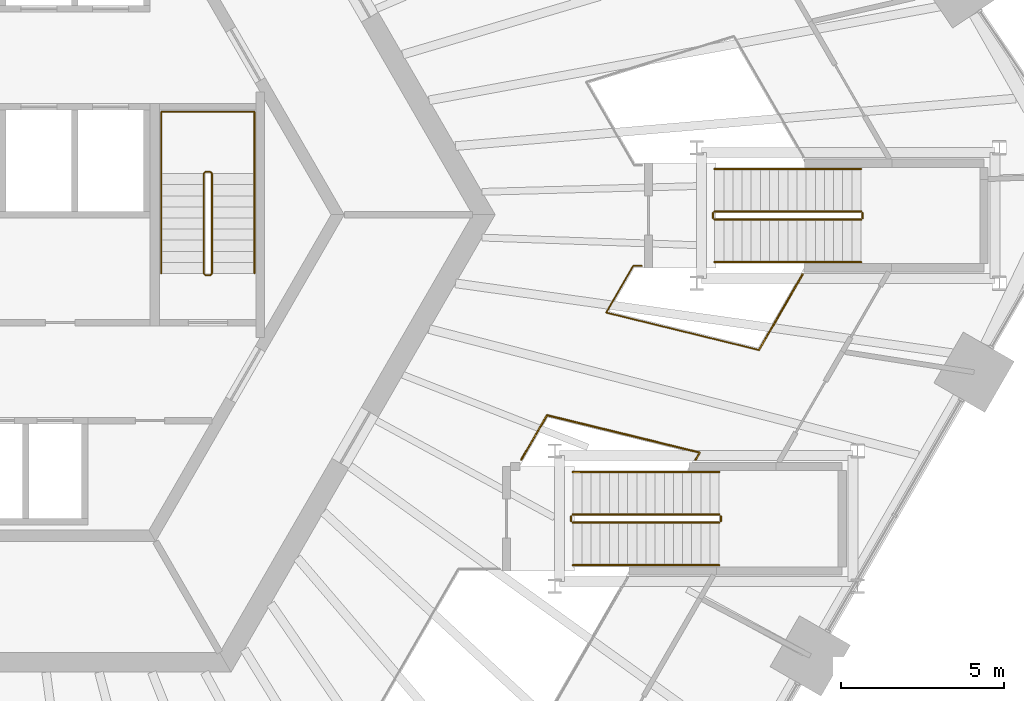
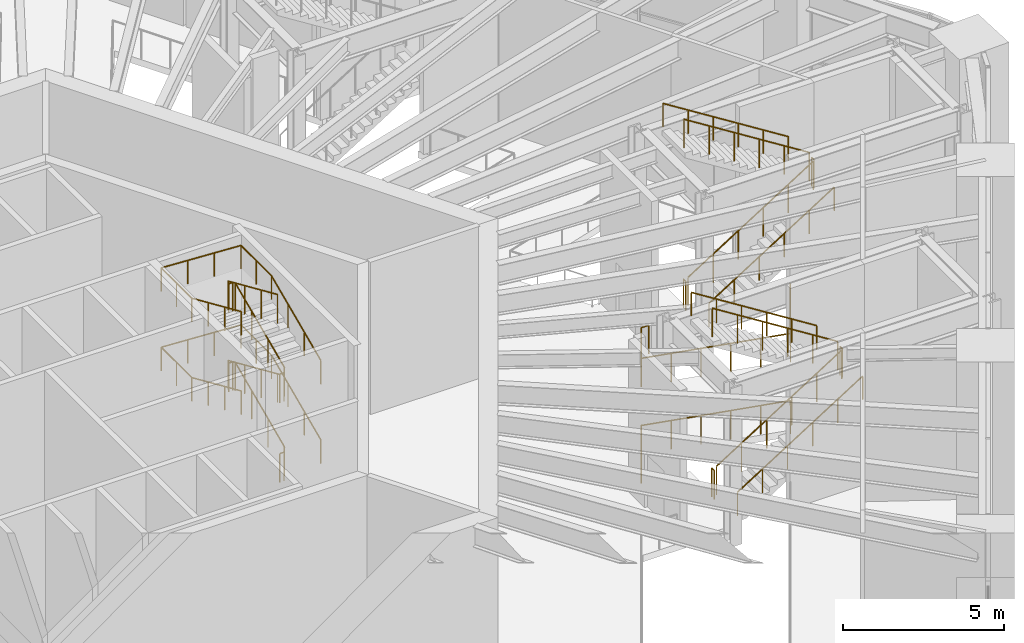
# One storey, part 29 of 32: 19 railings.
"""IFC4 building model written with IfcOpenShell, lengths in metres."""

from ifc_helpers import new_model, si_unit, direction, frame, origin, origin_2d, place, context, subcontext, project, spatial, circle, extrude, material, type_object, element, save


model = new_model("IFC4")

# Units and contexts
model_context = context("Model", 3, precision=1e-05, world=origin(), true_north=direction((0.0, 1.0)))
body_context = subcontext(model_context, "Body", "Model", "MODEL_VIEW")
ifc_project = project(units=[si_unit("LENGTHUNIT", "METRE"), si_unit("AREAUNIT", "SQUARE_METRE"), si_unit("VOLUMEUNIT", "CUBIC_METRE"), si_unit("PLANEANGLEUNIT", "RADIAN"), si_unit("MASSUNIT", "GRAM", prefix="KILO")], contexts=[model_context])

# Site, building, storey
site_placement = place(None, origin())
site = spatial("IfcSite", under=ifc_project, at=site_placement, CompositionType="ELEMENT")
building_placement = place(site_placement, origin())
building = spatial("IfcBuilding", under=site, at=building_placement, Name="Tarnside Tower", CompositionType="ELEMENT")
storey_placement = place(building_placement, frame((0.0, 0.0, 9.0)))
storey = spatial("IfcBuildingStorey", under=building, at=storey_placement, Name="L01", CompositionType="ELEMENT", Elevation=9.0)

# Railings
ifc_material_1 = material(Name="Safety glass", Category="glass")
railing_type_1 = type_object("IfcRailingType", Name="Guard 1100 glass", PredefinedType="GUARDRAIL", material=ifc_material_1)
railing_1_placement = place(storey_placement, frame((17.750732421875, -6.135009765625, 0.0)))
element("IfcRailing", 1, at=railing_1_placement, inside=storey, type_object=railing_type_1, Name="Guard 4", PredefinedType="GUARDRAIL", context=body_context, shape_type="SweptSolid", body=[
    extrude(circle(Radius=0.02392578125, at=origin_2d()), frame((0.0, 0.0, 1.076171875), z_axis=(0.971342027577, -0.237686064932, 0.0), x_axis=(0.237686064932, 0.971342027577, 0.0)), (0.0, 0.0, 1.0), 4.812255859375),
    extrude(circle(Radius=0.02392578125, at=origin_2d()), frame((4.67431640625, -1.143798828125, 1.076171875), z_axis=(-0.499943114462, -0.866058244174, 0.0), x_axis=(0.866058244174, -0.499943114462, 0.0)), (0.0, 0.0, 1.0), 0.25537109375),
    extrude(circle(Radius=0.02099609375, at=origin_2d()), origin(), (0.0, 0.0, 1.0), 1.052001953125),
    extrude(circle(Radius=0.02099609375, at=origin_2d()), frame((0.934814453125, -0.228759765625, 0.0)), (0.0, 0.0, 1.0), 1.052001953125),
    extrude(circle(Radius=0.02099609375, at=origin_2d()), frame((1.86962890625, -0.45751953125, 0.0)), (0.0, 0.0, 1.0), 1.052001953125),
    extrude(circle(Radius=0.02099609375, at=origin_2d()), frame((2.8046875, -0.686279296875, 0.0)), (0.0, 0.0, 1.0), 1.052001953125),
    extrude(circle(Radius=0.02099609375, at=origin_2d()), frame((3.739501953125, -0.9150390625, 0.0)), (0.0, 0.0, 1.0), 1.052001953125),
    extrude(circle(Radius=0.02099609375, at=origin_2d()), frame((4.67431640625, -1.143798828125, 0.0)), (0.0, 0.0, 1.0), 1.052001953125),
    extrude(circle(Radius=0.02099609375, at=origin_2d()), frame((4.546630859375, -1.364990234375, 0.0)), (0.0, 0.0, 1.0), 1.052001953125),
])
railing_2_placement = place(storey_placement, frame((16.962646484375, -7.5, 0.0)))
element("IfcRailing", 2, at=railing_2_placement, inside=storey, type_object=railing_type_1, Name="Guard 5", PredefinedType="GUARDRAIL", context=body_context, shape_type="SweptSolid", body=[
    extrude(circle(Radius=0.02392578125, at=origin_2d()), frame((0.0, 0.0, 1.076171875), z_axis=(0.500004024767, 0.866023080072, 0.0), x_axis=(-0.866023080072, 0.500004024767, 0.0)), (0.0, 0.0, 1.0), 1.576171875),
    extrude(circle(Radius=0.02099609375, at=origin_2d()), origin(), (0.0, 0.0, 1.0), 1.052001953125),
    extrude(circle(Radius=0.02099609375, at=origin_2d()), frame((0.39404296875, 0.6826171875, 0.0)), (0.0, 0.0, 1.0), 1.052001953125),
    extrude(circle(Radius=0.02099609375, at=origin_2d()), frame((0.7880859375, 1.364990234375, 0.0)), (0.0, 0.0, 1.0), 1.052001953125),
])
railing_3_placement = place(storey_placement, frame((24.237548828125, -4.1396484375, 0.0)))
element("IfcRailing", 3, at=railing_3_placement, inside=storey, type_object=railing_type_1, Name="Guard 6", PredefinedType="GUARDRAIL", context=body_context, shape_type="SweptSolid", body=[
    extrude(circle(Radius=0.02392578125, at=origin_2d()), frame((0.0, 0.0, 1.076171875), z_axis=(-0.971333180563, 0.23772221675, 0.0), x_axis=(-0.23772221675, -0.971333180563, 0.0)), (0.0, 0.0, 1.0), 4.8125),
    extrude(circle(Radius=0.02392578125, at=origin_2d()), frame((-4.674560546875, 1.14404296875, 1.076171875), z_axis=(0.500080620599, 0.865978852456, 0.0), x_axis=(-0.865978852456, 0.500080620599, 0.0)), (0.0, 0.0, 1.0), 1.652099609375),
    extrude(circle(Radius=0.02392578125, at=origin_2d()), frame((-3.848388671875, 2.57470703125, 1.076171875), z_axis=(1.0, 0.0, 0.0), x_axis=(0.0, 1.0, 0.0)), (0.0, 0.0, 1.0), 0.265869140625),
    extrude(circle(Radius=0.02099609375, at=origin_2d()), origin(), (0.0, 0.0, 1.0), 1.052001953125),
    extrude(circle(Radius=0.02099609375, at=origin_2d()), frame((-0.934814453125, 0.228759765625, 0.0)), (0.0, 0.0, 1.0), 1.052001953125),
    extrude(circle(Radius=0.02099609375, at=origin_2d()), frame((-1.869873046875, 0.45751953125, 0.0)), (0.0, 0.0, 1.0), 1.052001953125),
    extrude(circle(Radius=0.02099609375, at=origin_2d()), frame((-2.8046875, 0.6865234375, 0.0)), (0.0, 0.0, 1.0), 1.052001953125),
    extrude(circle(Radius=0.02099609375, at=origin_2d()), frame((-3.73974609375, 0.915283203125, 0.0)), (0.0, 0.0, 1.0), 1.052001953125),
    extrude(circle(Radius=0.02099609375, at=origin_2d()), frame((-4.674560546875, 1.14404296875, 0.0)), (0.0, 0.0, 1.0), 1.052001953125),
    extrude(circle(Radius=0.02099609375, at=origin_2d()), frame((-4.261474609375, 1.859375, 0.0)), (0.0, 0.0, 1.0), 1.052001953125),
    extrude(circle(Radius=0.02099609375, at=origin_2d()), frame((-3.848388671875, 2.57470703125, 0.0)), (0.0, 0.0, 1.0), 1.052001953125),
    extrude(circle(Radius=0.02099609375, at=origin_2d()), frame((-3.58251953125, 2.57470703125, 0.0)), (0.0, 0.0, 1.0), 1.052001953125),
])
railing_4_placement = place(storey_placement, frame((25.57373046875, -1.824951171875, 0.0)))
element("IfcRailing", 4, at=railing_4_placement, inside=storey, type_object=railing_type_1, Name="Guard 7", PredefinedType="GUARDRAIL", context=body_context, shape_type="SweptSolid", body=[
    extrude(circle(Radius=0.02392578125, at=origin_2d()), frame((0.0, 0.0, 1.076171875), z_axis=(-0.499941223862, -0.866059335544, 0.0), x_axis=(0.866059335544, -0.499941223862, 0.0)), (0.0, 0.0, 1.0), 2.672607421875),
    extrude(circle(Radius=0.02099609375, at=origin_2d()), origin(), (0.0, 0.0, 1.0), 1.052001953125),
    extrude(circle(Radius=0.02099609375, at=origin_2d()), frame((-0.4453125, -0.771484375, 0.0)), (0.0, 0.0, 1.0), 1.052001953125),
    extrude(circle(Radius=0.02099609375, at=origin_2d()), frame((-0.890869140625, -1.543212890625, 0.0)), (0.0, 0.0, 1.0), 1.052001953125),
    extrude(circle(Radius=0.02099609375, at=origin_2d()), frame((-1.336181640625, -2.314697265625, 0.0)), (0.0, 0.0, 1.0), 1.052001953125),
])
ifc_material_2 = material(Name="Stainless steel", Category="steel")
railing_type_2 = type_object("IfcRailingType", Name="Podium stair guard 1100", PredefinedType="GUARDRAIL", material=ifc_material_2)
railing_5_placement = place(storey_placement, frame((22.8798828125, -0.14990234375, 0.176513671875)))
element("IfcRailing", 5, at=railing_5_placement, inside=storey, type_object=railing_type_2, Name="L01 PS3 stair guard 1", PredefinedType="GUARDRAIL", context=body_context, shape_type="SweptSolid", body=[
    extrude(circle(Radius=0.02392578125, at=origin_2d()), frame((0.0, 0.0, 1.076171875), z_axis=(0.846011044237, 0.0, 0.533165371184), x_axis=(0.0, 1.0, 0.0)), (0.0, 0.0, 1.0), 5.295654296875),
    extrude(circle(Radius=0.02099609375, at=origin_2d()), origin(), (0.0, 0.0, 1.0), 1.052001953125),
    extrude(circle(Radius=0.02099609375, at=origin_2d()), frame((0.89599609375, 0.0, 0.564697265625)), (0.0, 0.0, 1.0), 1.052001953125),
    extrude(circle(Radius=0.02099609375, at=origin_2d()), frame((1.7919921875, 0.0, 1.12939453125)), (0.0, 0.0, 1.0), 1.052001953125),
    extrude(circle(Radius=0.02099609375, at=origin_2d()), frame((2.688232421875, 0.0, 1.694091796875)), (0.0, 0.0, 1.0), 1.052001953125),
    extrude(circle(Radius=0.02099609375, at=origin_2d()), frame((3.584228515625, 0.0, 2.2587890625)), (0.0, 0.0, 1.0), 1.052001953125),
    extrude(circle(Radius=0.02099609375, at=origin_2d()), frame((4.480224609375, 0.0, 2.823486328125)), (0.0, 0.0, 1.0), 1.052001953125),
])
railing_6_placement = place(storey_placement, frame((27.409912109375, -0.10009765625, 3.0)))
element("IfcRailing", 6, at=railing_6_placement, inside=storey, type_object=railing_type_2, Name="L01 PS3 stair guard 2", PredefinedType="GUARDRAIL", context=body_context, shape_type="SweptSolid", body=[
    extrude(circle(Radius=0.02392578125, at=origin_2d()), frame((0.0, 0.0, 1.076171875), z_axis=(0.0, 1.0, 0.0), x_axis=(-1.0, 0.0, 0.0)), (0.0, 0.0, 1.0), 0.150146484375),
    extrude(circle(Radius=0.02099609375, at=origin_2d()), origin(), (0.0, 0.0, 1.0), 1.052001953125),
    extrude(circle(Radius=0.02099609375, at=origin_2d()), frame((0.0, 0.150146484375, 0.0)), (0.0, 0.0, 1.0), 1.052001953125),
])
railing_7_placement = place(storey_placement, frame((27.360107421875, 0.10009765625, 3.176513671875)))
element("IfcRailing", 7, at=railing_7_placement, inside=storey, type_object=railing_type_2, Name="L01 PS3 stair guard 3", PredefinedType="GUARDRAIL", context=body_context, shape_type="SweptSolid", body=[
    extrude(circle(Radius=0.02392578125, at=origin_2d()), frame((0.0, 0.0, 1.076171875), z_axis=(-0.846011044237, 0.0, 0.533165371184), x_axis=(0.0, -1.0, 0.0)), (0.0, 0.0, 1.0), 5.295654296875),
    extrude(circle(Radius=0.02099609375, at=origin_2d()), origin(), (0.0, 0.0, 1.0), 1.052001953125),
    extrude(circle(Radius=0.02099609375, at=origin_2d()), frame((-0.89599609375, 0.0, 0.564697265625)), (0.0, 0.0, 1.0), 1.052001953125),
    extrude(circle(Radius=0.02099609375, at=origin_2d()), frame((-1.7919921875, 0.0, 1.12939453125)), (0.0, 0.0, 1.0), 1.052001953125),
    extrude(circle(Radius=0.02099609375, at=origin_2d()), frame((-2.688232421875, 0.0, 1.694091796875)), (0.0, 0.0, 1.0), 1.052001953125),
    extrude(circle(Radius=0.02099609375, at=origin_2d()), frame((-3.584228515625, 0.0, 2.2587890625)), (0.0, 0.0, 1.0), 1.052001953125),
    extrude(circle(Radius=0.02099609375, at=origin_2d()), frame((-4.480224609375, 0.0, 2.823486328125)), (0.0, 0.0, 1.0), 1.052001953125),
])
railing_8_placement = place(storey_placement, frame((22.830078125, -0.10009765625, 0.0)))
element("IfcRailing", 8, at=railing_8_placement, inside=storey, type_object=railing_type_2, Name="L01 PS3 stair guard 4", PredefinedType="GUARDRAIL", context=body_context, shape_type="SweptSolid", body=[
    extrude(circle(Radius=0.02392578125, at=origin_2d()), frame((0.0, 0.0, 1.076171875), z_axis=(0.0, 1.0, 0.0), x_axis=(-1.0, 0.0, 0.0)), (0.0, 0.0, 1.0), 0.150146484375),
    extrude(circle(Radius=0.02099609375, at=origin_2d()), origin(), (0.0, 0.0, 1.0), 1.052001953125),
    extrude(circle(Radius=0.02099609375, at=origin_2d()), frame((0.0, 0.150146484375, 0.0)), (0.0, 0.0, 1.0), 1.052001953125),
])
railing_9_placement = place(storey_placement, frame((18.5400390625, -9.425048828125, 0.176513671875)))
element("IfcRailing", 9, at=railing_9_placement, inside=storey, type_object=railing_type_2, Name="L01 PS5 stair guard 1", PredefinedType="GUARDRAIL", context=body_context, shape_type="SweptSolid", body=[
    extrude(circle(Radius=0.02392578125, at=origin_2d()), frame((0.0, 0.0, 1.076171875), z_axis=(0.845997938375, 0.0, 0.533186166611), x_axis=(0.0, 1.0, 0.0)), (0.0, 0.0, 1.0), 5.29541015625),
    extrude(circle(Radius=0.02099609375, at=origin_2d()), origin(), (0.0, 0.0, 1.0), 1.052001953125),
    extrude(circle(Radius=0.02099609375, at=origin_2d()), frame((0.89599609375, 0.0, 0.564697265625)), (0.0, 0.0, 1.0), 1.052001953125),
    extrude(circle(Radius=0.02099609375, at=origin_2d()), frame((1.7919921875, 0.0, 1.12939453125)), (0.0, 0.0, 1.0), 1.052001953125),
    extrude(circle(Radius=0.02099609375, at=origin_2d()), frame((2.68798828125, 0.0, 1.694091796875)), (0.0, 0.0, 1.0), 1.052001953125),
    extrude(circle(Radius=0.02099609375, at=origin_2d()), frame((3.583984375, 0.0, 2.2587890625)), (0.0, 0.0, 1.0), 1.052001953125),
    extrude(circle(Radius=0.02099609375, at=origin_2d()), frame((4.47998046875, 0.0, 2.823486328125)), (0.0, 0.0, 1.0), 1.052001953125),
])
railing_10_placement = place(storey_placement, frame((23.070068359375, -9.375, 3.0)))
element("IfcRailing", 10, at=railing_10_placement, inside=storey, type_object=railing_type_2, Name="L01 PS5 stair guard 2", PredefinedType="GUARDRAIL", context=body_context, shape_type="SweptSolid", body=[
    extrude(circle(Radius=0.02392578125, at=origin_2d()), frame((0.0, 0.0, 1.076171875), z_axis=(0.0, 1.0, 0.0), x_axis=(-1.0, 0.0, 0.0)), (0.0, 0.0, 1.0), 0.14990234375),
    extrude(circle(Radius=0.02099609375, at=origin_2d()), origin(), (0.0, 0.0, 1.0), 1.052001953125),
    extrude(circle(Radius=0.02099609375, at=origin_2d()), frame((0.0, 0.14990234375, 0.0)), (0.0, 0.0, 1.0), 1.052001953125),
])
railing_11_placement = place(storey_placement, frame((23.02001953125, -9.175048828125, 3.176513671875)))
element("IfcRailing", 11, at=railing_11_placement, inside=storey, type_object=railing_type_2, Name="L01 PS5 stair guard 3", PredefinedType="GUARDRAIL", context=body_context, shape_type="SweptSolid", body=[
    extrude(circle(Radius=0.02392578125, at=origin_2d()), frame((0.0, 0.0, 1.076171875), z_axis=(-0.845997938375, 0.0, 0.533186166611), x_axis=(0.0, -1.0, 0.0)), (0.0, 0.0, 1.0), 5.29541015625),
    extrude(circle(Radius=0.02099609375, at=origin_2d()), origin(), (0.0, 0.0, 1.0), 1.052001953125),
    extrude(circle(Radius=0.02099609375, at=origin_2d()), frame((-0.89599609375, 0.0, 0.564697265625)), (0.0, 0.0, 1.0), 1.052001953125),
    extrude(circle(Radius=0.02099609375, at=origin_2d()), frame((-1.7919921875, 0.0, 1.12939453125)), (0.0, 0.0, 1.0), 1.052001953125),
    extrude(circle(Radius=0.02099609375, at=origin_2d()), frame((-2.68798828125, 0.0, 1.694091796875)), (0.0, 0.0, 1.0), 1.052001953125),
    extrude(circle(Radius=0.02099609375, at=origin_2d()), frame((-3.583984375, 0.0, 2.2587890625)), (0.0, 0.0, 1.0), 1.052001953125),
    extrude(circle(Radius=0.02099609375, at=origin_2d()), frame((-4.47998046875, 0.0, 2.823486328125)), (0.0, 0.0, 1.0), 1.052001953125),
])
railing_12_placement = place(storey_placement, frame((18.489990234375, -9.375, 0.0)))
element("IfcRailing", 12, at=railing_12_placement, inside=storey, type_object=railing_type_2, Name="L01 PS5 stair guard 4", PredefinedType="GUARDRAIL", context=body_context, shape_type="SweptSolid", body=[
    extrude(circle(Radius=0.02392578125, at=origin_2d()), frame((0.0, 0.0, 1.076171875), z_axis=(0.0, 1.0, 0.0), x_axis=(-1.0, 0.0, 0.0)), (0.0, 0.0, 1.0), 0.14990234375),
    extrude(circle(Radius=0.02099609375, at=origin_2d()), origin(), (0.0, 0.0, 1.0), 1.052001953125),
    extrude(circle(Radius=0.02099609375, at=origin_2d()), frame((0.0, 0.14990234375, 0.0)), (0.0, 0.0, 1.0), 1.052001953125),
])
railing_type_3 = type_object("IfcRailingType", Name="Podium stair handrail 900", PredefinedType="HANDRAIL", material=ifc_material_2)
railing_13_placement = place(storey_placement, frame((22.8798828125, -1.449951171875, 0.176513671875)))
element("IfcRailing", 13, at=railing_13_placement, inside=storey, type_object=railing_type_3, Name="L01 PS3 stair handrail 1", PredefinedType="HANDRAIL", context=body_context, shape_type="SweptSolid", body=[
    extrude(circle(Radius=0.02392578125, at=origin_2d()), frame((0.0, 0.0, 0.8857421875), z_axis=(0.846011044237, 0.0, 0.533165371184), x_axis=(0.0, 1.0, 0.0)), (0.0, 0.0, 1.0), 5.295654296875),
    extrude(circle(Radius=0.02099609375, at=origin_2d()), origin(), (0.0, 0.0, 1.0), 0.86181640625),
    extrude(circle(Radius=0.02099609375, at=origin_2d()), frame((0.89599609375, 0.0, 0.564697265625)), (0.0, 0.0, 1.0), 0.86181640625),
    extrude(circle(Radius=0.02099609375, at=origin_2d()), frame((1.7919921875, 0.0, 1.12939453125)), (0.0, 0.0, 1.0), 0.86181640625),
    extrude(circle(Radius=0.02099609375, at=origin_2d()), frame((2.688232421875, 0.0, 1.694091796875)), (0.0, 0.0, 1.0), 0.86181640625),
    extrude(circle(Radius=0.02099609375, at=origin_2d()), frame((3.584228515625, 0.0, 2.2587890625)), (0.0, 0.0, 1.0), 0.86181640625),
    extrude(circle(Radius=0.02099609375, at=origin_2d()), frame((4.480224609375, 0.0, 2.823486328125)), (0.0, 0.0, 1.0), 0.86181640625),
])
railing_14_placement = place(storey_placement, frame((27.360107421875, 1.39990234375, 3.176513671875)))
element("IfcRailing", 14, at=railing_14_placement, inside=storey, type_object=railing_type_3, Name="L01 PS3 stair handrail 2", PredefinedType="HANDRAIL", context=body_context, shape_type="SweptSolid", body=[
    extrude(circle(Radius=0.02392578125, at=origin_2d()), frame((0.0, 0.0, 0.8857421875), z_axis=(-0.846011044237, 0.0, 0.533165371184), x_axis=(0.0, -1.0, 0.0)), (0.0, 0.0, 1.0), 5.295654296875),
    extrude(circle(Radius=0.02099609375, at=origin_2d()), origin(), (0.0, 0.0, 1.0), 0.86181640625),
    extrude(circle(Radius=0.02099609375, at=origin_2d()), frame((-0.89599609375, 0.0, 0.564697265625)), (0.0, 0.0, 1.0), 0.86181640625),
    extrude(circle(Radius=0.02099609375, at=origin_2d()), frame((-1.7919921875, 0.0, 1.12939453125)), (0.0, 0.0, 1.0), 0.86181640625),
    extrude(circle(Radius=0.02099609375, at=origin_2d()), frame((-2.688232421875, 0.0, 1.694091796875)), (0.0, 0.0, 1.0), 0.86181640625),
    extrude(circle(Radius=0.02099609375, at=origin_2d()), frame((-3.584228515625, 0.0, 2.2587890625)), (0.0, 0.0, 1.0), 0.86181640625),
    extrude(circle(Radius=0.02099609375, at=origin_2d()), frame((-4.480224609375, 0.0, 2.823486328125)), (0.0, 0.0, 1.0), 0.86181640625),
])
railing_15_placement = place(storey_placement, frame((18.5400390625, -10.72509765625, 0.176513671875)))
element("IfcRailing", 15, at=railing_15_placement, inside=storey, type_object=railing_type_3, Name="L01 PS5 stair handrail 1", PredefinedType="HANDRAIL", context=body_context, shape_type="SweptSolid", body=[
    extrude(circle(Radius=0.02392578125, at=origin_2d()), frame((0.0, 0.0, 0.8857421875), z_axis=(0.845997938375, 0.0, 0.533186166611), x_axis=(0.0, 1.0, 0.0)), (0.0, 0.0, 1.0), 5.29541015625),
    extrude(circle(Radius=0.02099609375, at=origin_2d()), origin(), (0.0, 0.0, 1.0), 0.86181640625),
    extrude(circle(Radius=0.02099609375, at=origin_2d()), frame((0.89599609375, 0.0, 0.564697265625)), (0.0, 0.0, 1.0), 0.86181640625),
    extrude(circle(Radius=0.02099609375, at=origin_2d()), frame((1.7919921875, 0.0, 1.12939453125)), (0.0, 0.0, 1.0), 0.86181640625),
    extrude(circle(Radius=0.02099609375, at=origin_2d()), frame((2.68798828125, 0.0, 1.694091796875)), (0.0, 0.0, 1.0), 0.86181640625),
    extrude(circle(Radius=0.02099609375, at=origin_2d()), frame((3.583984375, 0.0, 2.2587890625)), (0.0, 0.0, 1.0), 0.86181640625),
    extrude(circle(Radius=0.02099609375, at=origin_2d()), frame((4.47998046875, 0.0, 2.823486328125)), (0.0, 0.0, 1.0), 0.86181640625),
])
railing_16_placement = place(storey_placement, frame((23.02001953125, -7.875, 3.176513671875)))
element("IfcRailing", 16, at=railing_16_placement, inside=storey, type_object=railing_type_3, Name="L01 PS5 stair handrail 2", PredefinedType="HANDRAIL", context=body_context, shape_type="SweptSolid", body=[
    extrude(circle(Radius=0.02392578125, at=origin_2d()), frame((0.0, 0.0, 0.8857421875), z_axis=(-0.845997938375, 0.0, 0.533186166611), x_axis=(0.0, -1.0, 0.0)), (0.0, 0.0, 1.0), 5.29541015625),
    extrude(circle(Radius=0.02099609375, at=origin_2d()), origin(), (0.0, 0.0, 1.0), 0.86181640625),
    extrude(circle(Radius=0.02099609375, at=origin_2d()), frame((-0.89599609375, 0.0, 0.564697265625)), (0.0, 0.0, 1.0), 0.86181640625),
    extrude(circle(Radius=0.02099609375, at=origin_2d()), frame((-1.7919921875, 0.0, 1.12939453125)), (0.0, 0.0, 1.0), 0.86181640625),
    extrude(circle(Radius=0.02099609375, at=origin_2d()), frame((-2.68798828125, 0.0, 1.694091796875)), (0.0, 0.0, 1.0), 0.86181640625),
    extrude(circle(Radius=0.02099609375, at=origin_2d()), frame((-3.583984375, 0.0, 2.2587890625)), (0.0, 0.0, 1.0), 0.86181640625),
    extrude(circle(Radius=0.02099609375, at=origin_2d()), frame((-4.47998046875, 0.0, 2.823486328125)), (0.0, 0.0, 1.0), 0.86181640625),
])
railing_type_4 = type_object("IfcRailingType", Name="Stair guard 1100", PredefinedType="GUARDRAIL", material=ifc_material_2)
railing_17_placement = place(storey_placement, frame((7.300048828125, -1.85009765625, 0.0)))
element("IfcRailing", 17, at=railing_17_placement, inside=storey, type_object=railing_type_4, Name="L01 ST1 stair guard 1", PredefinedType="GUARDRAIL", context=body_context, shape_type="SweptSolid", body=[
    extrude(circle(Radius=0.02392578125, at=origin_2d()), frame((0.0, 0.0, 1.076171875), z_axis=(1.0, 0.0, 0.0), x_axis=(0.0, 1.0, 0.0)), (0.0, 0.0, 1.0), 0.14990234375),
    extrude(circle(Radius=0.02392578125, at=origin_2d()), frame((0.14990234375, 0.0, 1.076171875), z_axis=(0.301912943143, 0.301912943143, 0.904266083366), x_axis=(-0.707106781187, 0.707106781187, 0.0)), (0.0, 0.0, 1.0), 0.165771484375),
    extrude(circle(Radius=0.02392578125, at=origin_2d()), frame((0.199951171875, 0.050048828125, 1.22607421875), z_axis=(0.0, 0.914909872985, 0.403658177565), x_axis=(-1.0, 0.0, 0.0)), (0.0, 0.0, 1.0), 3.3447265625),
    extrude(circle(Radius=0.02392578125, at=origin_2d()), frame((0.199951171875, 3.110107421875, 2.576171875), z_axis=(-0.707106781187, 0.707106781187, 0.0), x_axis=(-0.707106781187, -0.707106781187, 0.0)), (0.0, 0.0, 1.0), 0.07080078125),
    extrude(circle(Radius=0.02392578125, at=origin_2d()), frame((0.14990234375, 3.16015625, 2.576171875), z_axis=(-1.0, 0.0, 0.0), x_axis=(0.0, -1.0, 0.0)), (0.0, 0.0, 1.0), 0.14990234375),
    extrude(circle(Radius=0.02392578125, at=origin_2d()), frame((0.0, 3.16015625, 2.576171875), z_axis=(-0.301912943143, -0.301912943143, 0.904266083366), x_axis=(0.707106781187, -0.707106781187, 0.0)), (0.0, 0.0, 1.0), 0.165771484375),
    extrude(circle(Radius=0.02392578125, at=origin_2d()), frame((-0.050048828125, 3.110107421875, 2.72607421875), z_axis=(0.0, -0.914909872985, 0.403658177565), x_axis=(1.0, 0.0, 0.0)), (0.0, 0.0, 1.0), 3.3447265625),
    extrude(circle(Radius=0.02392578125, at=origin_2d()), frame((-0.050048828125, 0.050048828125, 4.076171875), z_axis=(0.707106781187, -0.707106781187, 0.0), x_axis=(0.707106781187, 0.707106781187, 0.0)), (0.0, 0.0, 1.0), 0.07080078125),
    extrude(circle(Radius=0.02392578125, at=origin_2d()), frame((0.0, 0.0, 4.076171875), z_axis=(1.0, 0.0, 0.0), x_axis=(0.0, 1.0, 0.0)), (0.0, 0.0, 1.0), 0.14990234375),
    extrude(circle(Radius=0.02392578125, at=origin_2d()), frame((0.14990234375, 0.0, 4.076171875), z_axis=(0.301912943143, 0.301912943143, 0.904266083366), x_axis=(-0.707106781187, 0.707106781187, 0.0)), (0.0, 0.0, 1.0), 0.165771484375),
    extrude(circle(Radius=0.02392578125, at=origin_2d()), frame((0.199951171875, 0.050048828125, 4.22607421875), z_axis=(0.0, 0.914909872985, 0.403658177565), x_axis=(-1.0, 0.0, 0.0)), (0.0, 0.0, 1.0), 3.3447265625),
    extrude(circle(Radius=0.02392578125, at=origin_2d()), frame((0.199951171875, 3.110107421875, 5.576171875), z_axis=(-0.707106781187, 0.707106781187, 0.0), x_axis=(-0.707106781187, -0.707106781187, 0.0)), (0.0, 0.0, 1.0), 0.07080078125),
    extrude(circle(Radius=0.02392578125, at=origin_2d()), frame((0.14990234375, 3.16015625, 5.576171875), z_axis=(-1.0, 0.0, 0.0), x_axis=(0.0, -1.0, 0.0)), (0.0, 0.0, 1.0), 0.14990234375),
    extrude(circle(Radius=0.02392578125, at=origin_2d()), frame((0.0, 3.16015625, 5.576171875), z_axis=(-0.301912943143, -0.301912943143, 0.904266083366), x_axis=(0.707106781187, -0.707106781187, 0.0)), (0.0, 0.0, 1.0), 0.165771484375),
    extrude(circle(Radius=0.02392578125, at=origin_2d()), frame((-0.050048828125, 3.110107421875, 5.72607421875), z_axis=(0.0, -0.914909872985, 0.403658177565), x_axis=(1.0, 0.0, 0.0)), (0.0, 0.0, 1.0), 3.3447265625),
    extrude(circle(Radius=0.02099609375, at=origin_2d()), origin(), (0.0, 0.0, 1.0), 1.052001953125),
    extrude(circle(Radius=0.02099609375, at=origin_2d()), frame((0.14990234375, 0.0, 0.0)), (0.0, 0.0, 1.0), 1.052001953125),
    extrude(circle(Radius=0.02099609375, at=origin_2d()), frame((0.199951171875, 0.050048828125, 0.14990234375)), (0.0, 0.0, 1.0), 1.052001953125),
    extrude(circle(Radius=0.02099609375, at=origin_2d()), frame((0.199951171875, 1.070068359375, 0.599853515625)), (0.0, 0.0, 1.0), 1.052001953125),
    extrude(circle(Radius=0.02099609375, at=origin_2d()), frame((0.199951171875, 2.090087890625, 1.050048828125)), (0.0, 0.0, 1.0), 1.052001953125),
    extrude(circle(Radius=0.02099609375, at=origin_2d()), frame((0.199951171875, 3.110107421875, 1.5)), (0.0, 0.0, 1.0), 1.052001953125),
    extrude(circle(Radius=0.02099609375, at=origin_2d()), frame((0.14990234375, 3.16015625, 1.5)), (0.0, 0.0, 1.0), 1.052001953125),
    extrude(circle(Radius=0.02099609375, at=origin_2d()), frame((0.0, 3.16015625, 1.5)), (0.0, 0.0, 1.0), 1.052001953125),
    extrude(circle(Radius=0.02099609375, at=origin_2d()), frame((-0.050048828125, 3.110107421875, 1.64990234375)), (0.0, 0.0, 1.0), 1.052001953125),
    extrude(circle(Radius=0.02099609375, at=origin_2d()), frame((-0.050048828125, 2.090087890625, 2.099853515625)), (0.0, 0.0, 1.0), 1.052001953125),
    extrude(circle(Radius=0.02099609375, at=origin_2d()), frame((-0.050048828125, 1.070068359375, 2.550048828125)), (0.0, 0.0, 1.0), 1.052001953125),
    extrude(circle(Radius=0.02099609375, at=origin_2d()), frame((-0.050048828125, 0.050048828125, 3.0)), (0.0, 0.0, 1.0), 1.052001953125),
    extrude(circle(Radius=0.02099609375, at=origin_2d()), frame((0.0, 0.0, 3.0)), (0.0, 0.0, 1.0), 1.052001953125),
    extrude(circle(Radius=0.02099609375, at=origin_2d()), frame((0.14990234375, 0.0, 3.0)), (0.0, 0.0, 1.0), 1.052001953125),
    extrude(circle(Radius=0.02099609375, at=origin_2d()), frame((0.199951171875, 0.050048828125, 3.14990234375)), (0.0, 0.0, 1.0), 1.052001953125),
    extrude(circle(Radius=0.02099609375, at=origin_2d()), frame((0.199951171875, 1.070068359375, 3.599853515625)), (0.0, 0.0, 1.0), 1.052001953125),
    extrude(circle(Radius=0.02099609375, at=origin_2d()), frame((0.199951171875, 2.090087890625, 4.050048828125)), (0.0, 0.0, 1.0), 1.052001953125),
    extrude(circle(Radius=0.02099609375, at=origin_2d()), frame((0.199951171875, 3.110107421875, 4.5)), (0.0, 0.0, 1.0), 1.052001953125),
    extrude(circle(Radius=0.02099609375, at=origin_2d()), frame((0.14990234375, 3.16015625, 4.5)), (0.0, 0.0, 1.0), 1.052001953125),
    extrude(circle(Radius=0.02099609375, at=origin_2d()), frame((0.0, 3.16015625, 4.5)), (0.0, 0.0, 1.0), 1.052001953125),
    extrude(circle(Radius=0.02099609375, at=origin_2d()), frame((-0.050048828125, 3.110107421875, 4.64990234375)), (0.0, 0.0, 1.0), 1.052001953125),
    extrude(circle(Radius=0.02099609375, at=origin_2d()), frame((-0.050048828125, 2.090087890625, 5.099853515625)), (0.0, 0.0, 1.0), 1.052001953125),
    extrude(circle(Radius=0.02099609375, at=origin_2d()), frame((-0.050048828125, 1.070068359375, 5.550048828125)), (0.0, 0.0, 1.0), 1.052001953125),
    extrude(circle(Radius=0.02099609375, at=origin_2d()), frame((-0.050048828125, 0.050048828125, 6.0)), (0.0, 0.0, 1.0), 1.052001953125),
])
railing_type_5 = type_object("IfcRailingType", Name="Stair handrail 900", PredefinedType="HANDRAIL", material=ifc_material_2)
railing_18_placement = place(storey_placement, frame((8.800048828125, -1.800048828125, 0.14990234375)))
element("IfcRailing", 18, at=railing_18_placement, inside=storey, type_object=railing_type_5, Name="L01 ST1 stair handrail 1", PredefinedType="HANDRAIL", context=body_context, shape_type="SweptSolid", body=[
    extrude(circle(Radius=0.02392578125, at=origin_2d()), frame((0.0, 0.0, 0.8857421875), z_axis=(0.0, 0.914909872985, 0.403658177565), x_axis=(-1.0, 0.0, 0.0)), (0.0, 0.0, 1.0), 3.3447265625),
    extrude(circle(Radius=0.02392578125, at=origin_2d()), frame((0.0, 3.06005859375, 2.23583984375), z_axis=(0.0, 1.0, 0.0), x_axis=(-1.0, 0.0, 0.0)), (0.0, 0.0, 1.0), 1.889892578125),
    extrude(circle(Radius=0.02392578125, at=origin_2d()), frame((0.0, 4.949951171875, 2.23583984375), z_axis=(-0.998619719122, 0.0, 0.052522914814), x_axis=(0.0, -1.0, 0.0)), (0.0, 0.0, 1.0), 2.85400390625),
    extrude(circle(Radius=0.02392578125, at=origin_2d()), frame((-2.85009765625, 4.949951171875, 2.3857421875), z_axis=(0.0, -1.0, 0.0), x_axis=(1.0, 0.0, 0.0)), (0.0, 0.0, 1.0), 1.889892578125),
    extrude(circle(Radius=0.02392578125, at=origin_2d()), frame((-2.85009765625, 3.06005859375, 2.3857421875), z_axis=(0.0, -0.914909872985, 0.403658177565), x_axis=(1.0, 0.0, 0.0)), (0.0, 0.0, 1.0), 3.3447265625),
    extrude(circle(Radius=0.02099609375, at=origin_2d()), origin(), (0.0, 0.0, 1.0), 0.86181640625),
    extrude(circle(Radius=0.02099609375, at=origin_2d()), frame((0.0, 1.02001953125, 0.449951171875)), (0.0, 0.0, 1.0), 0.86181640625),
    extrude(circle(Radius=0.02099609375, at=origin_2d()), frame((0.0, 2.0400390625, 0.900146484375)), (0.0, 0.0, 1.0), 0.86181640625),
    extrude(circle(Radius=0.02099609375, at=origin_2d()), frame((0.0, 3.06005859375, 1.35009765625)), (0.0, 0.0, 1.0), 0.86181640625),
    extrude(circle(Radius=0.02099609375, at=origin_2d()), frame((0.0, 4.0048828125, 1.35009765625)), (0.0, 0.0, 1.0), 0.86181640625),
    extrude(circle(Radius=0.02099609375, at=origin_2d()), frame((0.0, 4.949951171875, 1.35009765625)), (0.0, 0.0, 1.0), 0.86181640625),
    extrude(circle(Radius=0.02099609375, at=origin_2d()), frame((-0.949951171875, 4.949951171875, 1.400146484375)), (0.0, 0.0, 1.0), 0.86181640625),
    extrude(circle(Radius=0.02099609375, at=origin_2d()), frame((-1.900146484375, 4.949951171875, 1.449951171875)), (0.0, 0.0, 1.0), 0.86181640625),
    extrude(circle(Radius=0.02099609375, at=origin_2d()), frame((-2.85009765625, 4.949951171875, 1.5)), (0.0, 0.0, 1.0), 0.86181640625),
    extrude(circle(Radius=0.02099609375, at=origin_2d()), frame((-2.85009765625, 4.0048828125, 1.5)), (0.0, 0.0, 1.0), 0.86181640625),
    extrude(circle(Radius=0.02099609375, at=origin_2d()), frame((-2.85009765625, 3.06005859375, 1.5)), (0.0, 0.0, 1.0), 0.86181640625),
    extrude(circle(Radius=0.02099609375, at=origin_2d()), frame((-2.85009765625, 2.0400390625, 1.949951171875)), (0.0, 0.0, 1.0), 0.86181640625),
    extrude(circle(Radius=0.02099609375, at=origin_2d()), frame((-2.85009765625, 1.02001953125, 2.400146484375)), (0.0, 0.0, 1.0), 0.86181640625),
    extrude(circle(Radius=0.02099609375, at=origin_2d()), frame((-2.85009765625, 0.0, 2.85009765625)), (0.0, 0.0, 1.0), 0.86181640625),
])
railing_19_placement = place(storey_placement, frame((8.800048828125, -1.800048828125, 3.14990234375)))
element("IfcRailing", 19, at=railing_19_placement, inside=storey, type_object=railing_type_5, Name="L01 ST1 stair handrail 2", PredefinedType="HANDRAIL", context=body_context, shape_type="SweptSolid", body=[
    extrude(circle(Radius=0.02392578125, at=origin_2d()), frame((0.0, 0.0, 0.8857421875), z_axis=(0.0, 0.914909872985, 0.403658177565), x_axis=(-1.0, 0.0, 0.0)), (0.0, 0.0, 1.0), 3.3447265625),
    extrude(circle(Radius=0.02392578125, at=origin_2d()), frame((0.0, 3.06005859375, 2.23583984375), z_axis=(0.0, 1.0, 0.0), x_axis=(-1.0, 0.0, 0.0)), (0.0, 0.0, 1.0), 1.889892578125),
    extrude(circle(Radius=0.02392578125, at=origin_2d()), frame((0.0, 4.949951171875, 2.23583984375), z_axis=(-0.998619719122, 0.0, 0.052522914814), x_axis=(0.0, -1.0, 0.0)), (0.0, 0.0, 1.0), 2.85400390625),
    extrude(circle(Radius=0.02392578125, at=origin_2d()), frame((-2.85009765625, 4.949951171875, 2.3857421875), z_axis=(0.0, -1.0, 0.0), x_axis=(1.0, 0.0, 0.0)), (0.0, 0.0, 1.0), 1.889892578125),
    extrude(circle(Radius=0.02392578125, at=origin_2d()), frame((-2.85009765625, 3.06005859375, 2.3857421875), z_axis=(0.0, -0.914909872985, 0.403658177565), x_axis=(1.0, 0.0, 0.0)), (0.0, 0.0, 1.0), 3.3447265625),
    extrude(circle(Radius=0.02099609375, at=origin_2d()), origin(), (0.0, 0.0, 1.0), 0.86181640625),
    extrude(circle(Radius=0.02099609375, at=origin_2d()), frame((0.0, 1.02001953125, 0.449951171875)), (0.0, 0.0, 1.0), 0.86181640625),
    extrude(circle(Radius=0.02099609375, at=origin_2d()), frame((0.0, 2.0400390625, 0.900146484375)), (0.0, 0.0, 1.0), 0.86181640625),
    extrude(circle(Radius=0.02099609375, at=origin_2d()), frame((0.0, 3.06005859375, 1.35009765625)), (0.0, 0.0, 1.0), 0.86181640625),
    extrude(circle(Radius=0.02099609375, at=origin_2d()), frame((0.0, 4.0048828125, 1.35009765625)), (0.0, 0.0, 1.0), 0.86181640625),
    extrude(circle(Radius=0.02099609375, at=origin_2d()), frame((0.0, 4.949951171875, 1.35009765625)), (0.0, 0.0, 1.0), 0.86181640625),
    extrude(circle(Radius=0.02099609375, at=origin_2d()), frame((-0.949951171875, 4.949951171875, 1.400146484375)), (0.0, 0.0, 1.0), 0.86181640625),
    extrude(circle(Radius=0.02099609375, at=origin_2d()), frame((-1.900146484375, 4.949951171875, 1.449951171875)), (0.0, 0.0, 1.0), 0.86181640625),
    extrude(circle(Radius=0.02099609375, at=origin_2d()), frame((-2.85009765625, 4.949951171875, 1.5)), (0.0, 0.0, 1.0), 0.86181640625),
    extrude(circle(Radius=0.02099609375, at=origin_2d()), frame((-2.85009765625, 4.0048828125, 1.5)), (0.0, 0.0, 1.0), 0.86181640625),
    extrude(circle(Radius=0.02099609375, at=origin_2d()), frame((-2.85009765625, 3.06005859375, 1.5)), (0.0, 0.0, 1.0), 0.86181640625),
    extrude(circle(Radius=0.02099609375, at=origin_2d()), frame((-2.85009765625, 2.0400390625, 1.949951171875)), (0.0, 0.0, 1.0), 0.86181640625),
    extrude(circle(Radius=0.02099609375, at=origin_2d()), frame((-2.85009765625, 1.02001953125, 2.400146484375)), (0.0, 0.0, 1.0), 0.86181640625),
    extrude(circle(Radius=0.02099609375, at=origin_2d()), frame((-2.85009765625, 0.0, 2.85009765625)), (0.0, 0.0, 1.0), 0.86181640625),
])

save(model, "model.ifc")
